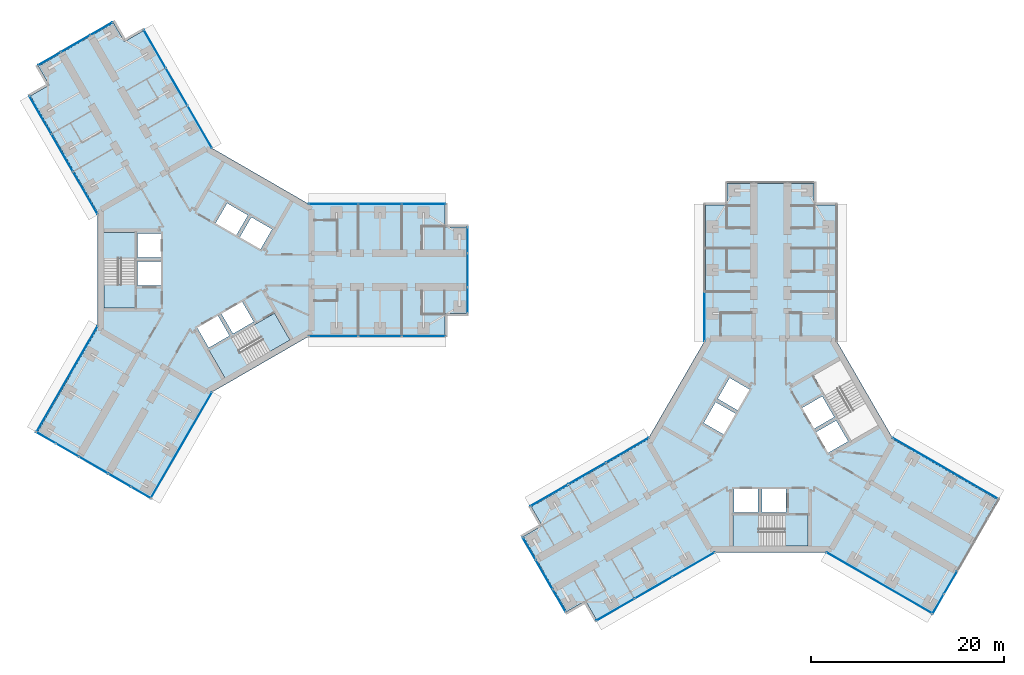
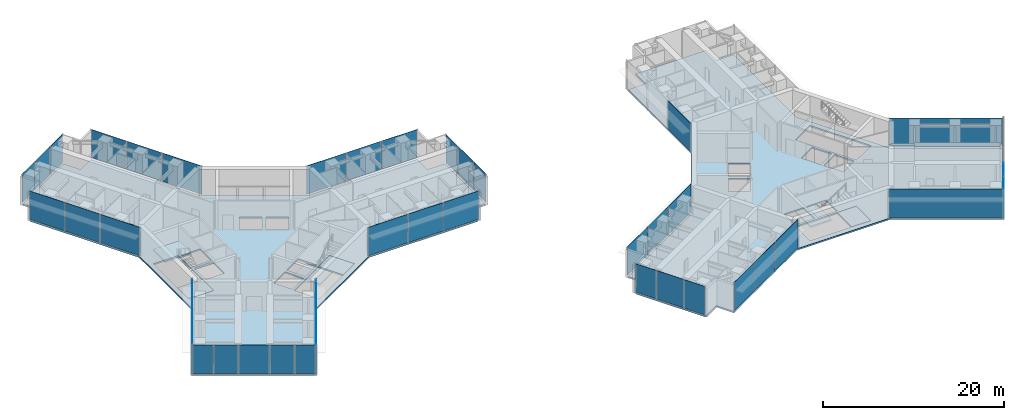
# One storey, part 13 of 23: 39 plates, 8 slabs, 19 elements without a shape of their own.
"""IFC4 building model written with IfcOpenShell, lengths in metres."""

import ifcopenshell
import ifcopenshell.guid

model = None  # the IFC model being written
_history = None  # IfcOwnerHistory: only IFC2X3 demands one
_inside = {}  # id of a spatial element -> (the spatial element, [elements in it])
_under = {}  # id of a project, library or spatial element -> (it, [spatial elements below it])
_declared = {}  # id of a project -> (the project, [libraries it declares])
_typed = {}  # id of a type object -> (the type object, [elements of that type])
_made_of = {}  # id of a material, layer set ... -> (it, [elements and type objects made of it])


def new_model(schema):
    """Start an empty IFC model of exactly this schema.

    Asked for "IFC4X3", IfcOpenShell would pick the latest addendum, in which some entities
    have other attributes; the version numbers below select the first issue.
    IFC2X3 requires an IfcOwnerHistory on every rooted entity: one is made here for all.
    """
    global model, _history
    if schema == "IFC4X3":
        model = ifcopenshell.file(schema_version=(4, 3, 0, 0))
    else:
        model = ifcopenshell.file(schema=schema)
    _inside.clear()
    _under.clear()
    _declared.clear()
    _typed.clear()
    _made_of.clear()
    _history = None
    if model.schema == "IFC2X3":
        org = make("IfcOrganization", Name="unknown")
        user = make(
            "IfcPersonAndOrganization",
            ThePerson=make("IfcPerson", FamilyName="unknown"),
            TheOrganization=org,
        )
        app = make(
            "IfcApplication",
            ApplicationDeveloper=org,
            Version="unknown",
            ApplicationFullName="unknown",
            ApplicationIdentifier="unknown",
        )
        _history = make(
            "IfcOwnerHistory",
            OwningUser=user,
            OwningApplication=app,
            ChangeAction="ADDED",
            CreationDate=0,
        )
    return model


def make(cls, **values):
    """One entity of the class cls with the attributes given. An attribute that is None is left unset."""
    return model.create_entity(
        cls, **{name: value for name, value in values.items() if value is not None}
    )


def rooted(cls, **values):
    """An entity with a GlobalId (a new one), such as an element, a storey or a relation."""
    return make(cls, GlobalId=ifcopenshell.guid.new(), OwnerHistory=_history, **values)


def si_unit(unit_type, name, prefix=None):
    """IfcSIUnit, for example si_unit("LENGTHUNIT", "METRE", prefix="MILLI")."""
    return make("IfcSIUnit", UnitType=unit_type, Prefix=prefix, Name=name)


def assignment(units):
    """IfcUnitAssignment: the units of a project."""
    return None if units is None else make("IfcUnitAssignment", Units=units)


def point(xyz):
    """IfcCartesianPoint."""
    return None if xyz is None else make("IfcCartesianPoint", Coordinates=xyz)


def direction(xyz):
    """IfcDirection."""
    return None if xyz is None else make("IfcDirection", DirectionRatios=xyz)


def frame(location, z_axis=None, x_axis=None):
    """IfcAxis2Placement3D, a coordinate frame: its origin and axes. An axis left out is left unset."""
    return make(
        "IfcAxis2Placement3D",
        Location=point(location),
        Axis=direction(z_axis),
        RefDirection=direction(x_axis),
    )


def frame_2d(location, x_axis=None):
    """IfcAxis2Placement2D, a coordinate frame in the plane: its origin and x axis."""
    return make(
        "IfcAxis2Placement2D", Location=point(location), RefDirection=direction(x_axis)
    )


def origin():
    """The frame at (0, 0, 0) with its axes left unset."""
    return frame((0.0, 0.0, 0.0))


def origin_2d():
    """The frame at (0, 0) in the plane with its x axis left unset."""
    return frame_2d((0.0, 0.0))


def place(relative_to, where):
    """IfcLocalPlacement: puts the frame where relative to a parent placement (None: the world)."""
    return make(
        "IfcLocalPlacement", PlacementRelTo=relative_to, RelativePlacement=where
    )


def context(
    kind, dimensions, precision=None, world=None, true_north=None, identifier=None
):
    """IfcGeometricRepresentationContext, for example the 3D "Model" context."""
    return make(
        "IfcGeometricRepresentationContext",
        ContextIdentifier=identifier,
        ContextType=kind,
        CoordinateSpaceDimension=dimensions,
        Precision=precision,
        WorldCoordinateSystem=world,
        TrueNorth=true_north,
    )


def subcontext(parent, identifier, kind, view, scale=None):
    """IfcGeometricRepresentationSubContext, for example "Body" below "Model"."""
    return make(
        "IfcGeometricRepresentationSubContext",
        ContextIdentifier=identifier,
        ContextType=kind,
        ParentContext=parent,
        TargetScale=scale,
        TargetView=view,
    )


def project(units=None, contexts=None):
    """IfcProject with its units and contexts."""
    return rooted(
        "IfcProject",
        Name="project",
        RepresentationContexts=contexts,
        UnitsInContext=assignment(units),
    )


def spatial(cls, under=None, at=None, **own):
    """A site, building, storey or space (cls), placed at a placement, below another one or the project."""
    s = rooted(cls, ObjectPlacement=at, **own)
    if under is not None:
        _under.setdefault(under.id(), (under, []))[1].append(s)
    return s


def polyline(points):
    """IfcPolyline through the points."""
    return make("IfcPolyline", Points=[point(p) for p in points])


def profile(cls, at=None, kind="AREA", **sizes):
    """A parametric profile (cls). Its sizes go by their IFC names, for example OverallWidth=200.0."""
    return make(cls, ProfileType=kind, Position=at, **sizes)


def rectangle(**sizes):
    """IfcRectangleProfileDef."""
    return profile("IfcRectangleProfileDef", **sizes)


def outline(outer, holes=None, kind="AREA"):
    """IfcArbitraryClosedProfileDef: a profile drawn as a closed curve; with holes, ...WithVoids."""
    if holes is None:
        return make("IfcArbitraryClosedProfileDef", ProfileType=kind, OuterCurve=outer)
    return make(
        "IfcArbitraryProfileDefWithVoids",
        ProfileType=kind,
        OuterCurve=outer,
        InnerCurves=holes,
    )


def extrude(swept, where, along, depth):
    """IfcExtrudedAreaSolid: the profile swept, set in the frame where, extruded along a direction by depth."""
    return make(
        "IfcExtrudedAreaSolid",
        SweptArea=swept,
        Position=where,
        ExtrudedDirection=direction(along),
        Depth=depth,
    )


def shape(context_of_items, identifier, shape_type, items):
    """IfcShapeRepresentation: the items that make up one representation, for example the "Body"."""
    return make(
        "IfcShapeRepresentation",
        ContextOfItems=context_of_items,
        RepresentationIdentifier=identifier,
        RepresentationType=shape_type,
        Items=items,
    )


def material(Name=None, Category=None):
    """IfcMaterial."""
    return make("IfcMaterial", Name=Name, Category=Category)


def layer(
    of_material, thickness, ventilated=None, Name=None, Category=None, Priority=None
):
    """IfcMaterialLayer: one layer of a wall or slab, of a material (None: an air gap)."""
    return make(
        "IfcMaterialLayer",
        Material=of_material,
        LayerThickness=thickness,
        IsVentilated=ventilated,
        Name=Name,
        Category=Category,
        Priority=Priority,
    )


def layer_set(layers, Name=None):
    """IfcMaterialLayerSet."""
    return make("IfcMaterialLayerSet", MaterialLayers=layers, LayerSetName=Name)


def made_of(thing, what):
    """Note that an element or type object is made of a material, layer set ...; save() writes the relation."""
    if what is not None:
        _made_of.setdefault(what.id(), (what, []))[1].append(thing)
    return thing


def type_object(cls, material=None, **own):
    """A type object (cls), such as IfcWallType, which elements share."""
    return made_of(rooted(cls, **own), material)


def element(
    cls,
    number,
    at=None,
    inside=None,
    cuts=None,
    type_object=None,
    material=None,
    context=None,
    identifier="Body",
    shape_type=None,
    held_by="IfcProductDefinitionShape",
    body=None,
    shapes=None,
    **own,
):
    """One element of the class cls, such as IfcWall. Its Tag is "e" and its number.

    at: its placement. inside: the storey or other place that contains it. cuts: it is an
    opening in that element (IfcRelVoidsElement). A single representation is given by context,
    identifier, shape_type and body (its items); several are given by shapes. held_by: the class
    of the entity that holds the representations. save() writes the other relations.
    """
    e = rooted(cls, Tag="e%d" % number, ObjectPlacement=at, **own)
    if body is not None:
        shapes = [shape(context, identifier, shape_type, body)]
    if shapes is not None:
        e.Representation = make(held_by, Representations=shapes)
    if inside is not None:
        _inside.setdefault(inside.id(), (inside, []))[1].append(e)
    if cuts is not None:
        rooted(
            "IfcRelVoidsElement", RelatingBuildingElement=cuts, RelatedOpeningElement=e
        )
    if type_object is not None:
        _typed.setdefault(type_object.id(), (type_object, []))[1].append(e)
    return made_of(e, material)


def aggregate(whole, parts):
    """IfcRelAggregates: a whole, such as a stair, and the parts it consists of."""
    return rooted("IfcRelAggregates", RelatingObject=whole, RelatedObjects=parts)


def save(model, path):
    """Write the relations noted so far, then the file.

    IfcRelAggregates (storeys below a building ...), IfcRelContainedInSpatialStructure (elements
    in a storey), IfcRelDefinesByType, IfcRelAssociatesMaterial and IfcRelDeclares: one each for
    every whole, place, type object, material and project.
    """
    for whole, parts in _under.values():
        aggregate(whole, parts)
    for where, things in _inside.values():
        rooted(
            "IfcRelContainedInSpatialStructure",
            RelatedElements=things,
            RelatingStructure=where,
        )
    for kind, things in _typed.values():
        rooted("IfcRelDefinesByType", RelatedObjects=things, RelatingType=kind)
    for what, things in _made_of.values():
        rooted("IfcRelAssociatesMaterial", RelatedObjects=things, RelatingMaterial=what)
    for by, libraries in _declared.values():
        rooted("IfcRelDeclares", RelatingContext=by, RelatedDefinitions=libraries)
    model.write(path)


model = new_model("IFC4")

# Units and contexts
model_context = context("Model", 3, precision=1e-05, world=origin(), true_north=direction((0.0, 1.0)))
body_context = subcontext(model_context, "Body", "Model", "MODEL_VIEW")
ifc_project = project(units=[si_unit("LENGTHUNIT", "METRE"), si_unit("AREAUNIT", "SQUARE_METRE"), si_unit("VOLUMEUNIT", "CUBIC_METRE"), si_unit("PLANEANGLEUNIT", "RADIAN"), si_unit("MASSUNIT", "GRAM", prefix="KILO")], contexts=[model_context])

# Site, building, storey
site_placement = place(None, origin())
site = spatial("IfcSite", under=ifc_project, at=site_placement, CompositionType="ELEMENT")
building_placement = place(site_placement, origin())
building = spatial("IfcBuilding", under=site, at=building_placement, Name="Upepo Twin Towers", CompositionType="ELEMENT")
storey_placement = place(building_placement, frame((0.0, 0.0, 145.5)))
storey = spatial("IfcBuildingStorey", under=building, at=storey_placement, Name="L35", CompositionType="ELEMENT", Elevation=145.5)

# Curtain wall, plates
ifc_material_1 = material(Name="Aluminium and fritted glass", Category="aluminium")
curtain_wall_type = type_object("IfcCurtainWallType", Name="Tower curtain wall TW2, fritted glass", PredefinedType="NOTDEFINED", material=ifc_material_1)
curtain_wall_1_placement = place(storey_placement, origin())
curtain_wall_1 = element("IfcCurtainWall", 1, at=curtain_wall_1_placement, inside=storey, type_object=curtain_wall_type, Name="T1 L35 wing A flank L curtain wall", PredefinedType="NOTDEFINED")
ifc_material_2 = material(Name="Ceramic-fritted laminated glass", Category="glass")
ifc_layer_1 = layer(ifc_material_2, 0.031982421875)
ifc_layer_set_1 = layer_set([ifc_layer_1], Name="Fritted glass panel, 45 per cent dot frit, 32 mm double glazed")
plate_type_1 = type_object("IfcPlateType", Name="Fritted glass panel, 45 per cent dot frit, 32 mm double glazed", PredefinedType="CURTAIN_PANEL", material=ifc_layer_set_1)
plate_1_placement = place(storey_placement, frame((13.184814453125, 6.85009765625, 0.14990234375), z_axis=(0.0, 0.0, 1.0), x_axis=(1.0, 0.0, 0.0)))
plate_1 = element("IfcPlate", 2, at=plate_1_placement, type_object=plate_type_1, Name="T1 L35 wing A flank L curtain wall panel 1", PredefinedType="CURTAIN_PANEL", context=body_context, shape_type="SweptSolid", body=[
    extrude(rectangle(XDim=5.0654296875, YDim=0.031982421875, at=origin_2d()), origin(), (0.0, 0.0, 1.0), 3.85009765625),
])
plate_2_placement = place(storey_placement, frame((18.0, 6.85009765625, 0.14990234375), z_axis=(0.0, 0.0, 1.0), x_axis=(1.0, 0.0, 0.0)))
plate_2 = element("IfcPlate", 3, at=plate_2_placement, type_object=plate_type_1, Name="T1 L35 wing A flank L curtain wall panel 2", PredefinedType="CURTAIN_PANEL", context=body_context, shape_type="SweptSolid", body=[
    extrude(rectangle(XDim=4.43505859375, YDim=0.031982421875, at=origin_2d()), origin(), (0.0, 0.0, 1.0), 3.85009765625),
])
plate_3_placement = place(storey_placement, frame((22.53369140625, 6.85009765625, 0.14990234375), z_axis=(0.0, 0.0, 1.0), x_axis=(1.0, 0.0, 0.0)))
plate_3 = element("IfcPlate", 4, at=plate_3_placement, type_object=plate_type_1, Name="T1 L35 wing A flank L curtain wall panel 3", PredefinedType="CURTAIN_PANEL", context=body_context, shape_type="SweptSolid", body=[
    extrude(rectangle(XDim=4.50244140625, YDim=0.031982421875, at=origin_2d()), origin(), (0.0, 0.0, 1.0), 3.85009765625),
])
aggregate(curtain_wall_1, [plate_1, plate_2, plate_3])

curtain_wall_2_placement = place(storey_placement, origin())
curtain_wall_2 = element("IfcCurtainWall", 5, at=curtain_wall_2_placement, inside=storey, type_object=curtain_wall_type, Name="T1 L35 wing A flank R curtain wall", PredefinedType="NOTDEFINED")
plate_4_placement = place(storey_placement, frame((22.53369140625, -6.85009765625, 0.14990234375), z_axis=(0.0, 0.0, 1.0), x_axis=(-1.0, 0.0, 0.0)))
plate_4 = element("IfcPlate", 6, at=plate_4_placement, type_object=plate_type_1, Name="T1 L35 wing A flank R curtain wall panel 1", PredefinedType="CURTAIN_PANEL", context=body_context, shape_type="SweptSolid", body=[
    extrude(rectangle(XDim=4.50244140625, YDim=0.031982421875, at=origin_2d()), origin(), (0.0, 0.0, 1.0), 3.85009765625),
])
plate_5_placement = place(storey_placement, frame((18.0, -6.85009765625, 0.14990234375), z_axis=(0.0, 0.0, 1.0), x_axis=(-1.0, 0.0, 0.0)))
plate_5 = element("IfcPlate", 7, at=plate_5_placement, type_object=plate_type_1, Name="T1 L35 wing A flank R curtain wall panel 2", PredefinedType="CURTAIN_PANEL", context=body_context, shape_type="SweptSolid", body=[
    extrude(rectangle(XDim=4.43505859375, YDim=0.031982421875, at=origin_2d()), origin(), (0.0, 0.0, 1.0), 3.85009765625),
])
plate_6_placement = place(storey_placement, frame((13.184814453125, -6.85009765625, 0.14990234375), z_axis=(0.0, 0.0, 1.0), x_axis=(-1.0, 0.0, 0.0)))
plate_6 = element("IfcPlate", 8, at=plate_6_placement, type_object=plate_type_1, Name="T1 L35 wing A flank R curtain wall panel 3", PredefinedType="CURTAIN_PANEL", context=body_context, shape_type="SweptSolid", body=[
    extrude(rectangle(XDim=5.0654296875, YDim=0.031982421875, at=origin_2d()), origin(), (0.0, 0.0, 1.0), 3.85009765625),
])
aggregate(curtain_wall_2, [plate_4, plate_5, plate_6])

# Curtain wall, plate
curtain_wall_3_placement = place(storey_placement, origin())
curtain_wall_3 = element("IfcCurtainWall", 9, at=curtain_wall_3_placement, inside=storey, type_object=curtain_wall_type, Name="T1 L35 wing A nose curtain wall", PredefinedType="NOTDEFINED")
plate_7_placement = place(storey_placement, frame((27.10009765625, 0.0, 0.14990234375), z_axis=(0.0, 0.0, 1.0), x_axis=(0.0, 1.0, 0.0)))
plate_7 = element("IfcPlate", 10, at=plate_7_placement, type_object=plate_type_1, Name="T1 L35 wing A nose curtain wall panel 2", PredefinedType="CURTAIN_PANEL", context=body_context, shape_type="SweptSolid", body=[
    extrude(rectangle(XDim=3.43505859375, YDim=0.031982421875, at=origin_2d()), origin(), (0.0, 0.0, 1.0), 3.85009765625),
])

# Curtain wall, plates
curtain_wall_4_placement = place(storey_placement, origin())
curtain_wall_4 = element("IfcCurtainWall", 11, at=curtain_wall_4_placement, inside=storey, type_object=curtain_wall_type, Name="T1 L35 wing B flank L curtain wall", PredefinedType="NOTDEFINED")
plate_8_placement = place(storey_placement, frame((-12.524658203125, 7.993408203125, 0.14990234375), z_axis=(0.0, 0.0, 1.0), x_axis=(-0.500000010308, 0.866025397833, 0.0)))
plate_8 = element("IfcPlate", 12, at=plate_8_placement, type_object=plate_type_1, Name="T1 L35 wing B flank L curtain wall panel 1", PredefinedType="CURTAIN_PANEL", context=body_context, shape_type="SweptSolid", body=[
    extrude(rectangle(XDim=5.0654296875, YDim=0.031982421875, at=origin_2d()), origin(), (0.0, 0.0, 1.0), 3.85009765625),
])
plate_9_placement = place(storey_placement, frame((-14.932373046875, 12.16357421875, 0.14990234375), z_axis=(0.0, 0.0, 1.0), x_axis=(-0.500000010308, 0.866025397833, 0.0)))
plate_9 = element("IfcPlate", 13, at=plate_9_placement, type_object=plate_type_1, Name="T1 L35 wing B flank L curtain wall panel 2", PredefinedType="CURTAIN_PANEL", context=body_context, shape_type="SweptSolid", body=[
    extrude(rectangle(XDim=4.43505859375, YDim=0.031982421875, at=origin_2d()), origin(), (0.0, 0.0, 1.0), 3.85009765625),
])
plate_10_placement = place(storey_placement, frame((-17.19921875, 16.08984375, 0.14990234375), z_axis=(0.0, 0.0, 1.0), x_axis=(-0.500000010308, 0.866025397833, 0.0)))
plate_10 = element("IfcPlate", 14, at=plate_10_placement, type_object=plate_type_1, Name="T1 L35 wing B flank L curtain wall panel 3", PredefinedType="CURTAIN_PANEL", context=body_context, shape_type="SweptSolid", body=[
    extrude(rectangle(XDim=4.50244140625, YDim=0.031982421875, at=origin_2d()), origin(), (0.0, 0.0, 1.0), 3.85009765625),
])
aggregate(curtain_wall_4, [plate_8, plate_9, plate_10])

curtain_wall_5_placement = place(storey_placement, origin())
curtain_wall_5 = element("IfcCurtainWall", 15, at=curtain_wall_5_placement, inside=storey, type_object=curtain_wall_type, Name="T1 L35 wing B flank R curtain wall", PredefinedType="NOTDEFINED")
plate_11_placement = place(storey_placement, frame((-5.334716796875, 22.939697265625, 0.14990234375), z_axis=(0.0, 0.0, 1.0), x_axis=(0.500000010308, -0.866025397833, 0.0)))
plate_11 = element("IfcPlate", 16, at=plate_11_placement, type_object=plate_type_1, Name="T1 L35 wing B flank R curtain wall panel 1", PredefinedType="CURTAIN_PANEL", context=body_context, shape_type="SweptSolid", body=[
    extrude(rectangle(XDim=4.50244140625, YDim=0.031982421875, at=origin_2d()), origin(), (0.0, 0.0, 1.0), 3.85009765625),
])
plate_12_placement = place(storey_placement, frame((-3.067626953125, 19.013427734375, 0.14990234375), z_axis=(0.0, 0.0, 1.0), x_axis=(0.500000010308, -0.866025397833, 0.0)))
plate_12 = element("IfcPlate", 17, at=plate_12_placement, type_object=plate_type_1, Name="T1 L35 wing B flank R curtain wall panel 2", PredefinedType="CURTAIN_PANEL", context=body_context, shape_type="SweptSolid", body=[
    extrude(rectangle(XDim=4.43505859375, YDim=0.031982421875, at=origin_2d()), origin(), (0.0, 0.0, 1.0), 3.85009765625),
])
plate_13_placement = place(storey_placement, frame((-0.66015625, 14.84326171875, 0.14990234375), z_axis=(0.0, 0.0, 1.0), x_axis=(0.500000010308, -0.866025397833, 0.0)))
plate_13 = element("IfcPlate", 18, at=plate_13_placement, type_object=plate_type_1, Name="T1 L35 wing B flank R curtain wall panel 3", PredefinedType="CURTAIN_PANEL", context=body_context, shape_type="SweptSolid", body=[
    extrude(rectangle(XDim=5.0654296875, YDim=0.031982421875, at=origin_2d()), origin(), (0.0, 0.0, 1.0), 3.85009765625),
])
aggregate(curtain_wall_5, [plate_11, plate_12, plate_13])

# Curtain wall, plate
curtain_wall_6_placement = place(storey_placement, origin())
curtain_wall_6 = element("IfcCurtainWall", 19, at=curtain_wall_6_placement, inside=storey, type_object=curtain_wall_type, Name="T1 L35 wing B nose curtain wall", PredefinedType="NOTDEFINED")
plate_14_placement = place(storey_placement, frame((-13.550048828125, 23.46923828125, 0.14990234375), z_axis=(0.0, 0.0, 1.0), x_axis=(-0.866025386174, -0.500000030502, 0.0)))
plate_14 = element("IfcPlate", 20, at=plate_14_placement, type_object=plate_type_1, Name="T1 L35 wing B nose curtain wall panel 2", PredefinedType="CURTAIN_PANEL", context=body_context, shape_type="SweptSolid", body=[
    extrude(rectangle(XDim=3.43505859375, YDim=0.031982421875, at=origin_2d()), origin(), (0.0, 0.0, 1.0), 3.85009765625),
])

curtain_wall_7_placement = place(storey_placement, origin())
curtain_wall_7 = element("IfcCurtainWall", 21, at=curtain_wall_7_placement, inside=storey, type_object=curtain_wall_type, Name="T1 L35 wing C flank L curtain wall", PredefinedType="NOTDEFINED")
plate_15_placement = place(storey_placement, frame((-2.552001953125, -18.1201171875, 0.14990234375), z_axis=(0.0, 0.0, 1.0), x_axis=(-0.50000000792, -0.866025399212, 0.0)))
plate_15 = element("IfcPlate", 22, at=plate_15_placement, type_object=plate_type_1, Name="T1 L35 wing C flank L curtain wall panel 1", PredefinedType="CURTAIN_PANEL", context=body_context, shape_type="SweptSolid", body=[
    extrude(rectangle(XDim=12.6328125, YDim=0.031982421875, at=origin_2d()), origin(), (0.0, 0.0, 1.0), 3.85009765625),
])
aggregate(curtain_wall_7, [plate_15])

curtain_wall_8_placement = place(storey_placement, origin())
curtain_wall_8 = element("IfcCurtainWall", 23, at=curtain_wall_8_placement, inside=storey, type_object=curtain_wall_type, Name="T1 L35 wing C flank R curtain wall", PredefinedType="NOTDEFINED")
plate_16_placement = place(storey_placement, frame((-14.41650390625, -11.270263671875, 0.14990234375), z_axis=(0.0, 0.0, 1.0), x_axis=(0.50000000792, 0.866025399212, 0.0)))
plate_16 = element("IfcPlate", 24, at=plate_16_placement, type_object=plate_type_1, Name="T1 L35 wing C flank R curtain wall panel 1", PredefinedType="CURTAIN_PANEL", context=body_context, shape_type="SweptSolid", body=[
    extrude(rectangle(XDim=12.6328125, YDim=0.031982421875, at=origin_2d()), origin(), (0.0, 0.0, 1.0), 3.85009765625),
])
aggregate(curtain_wall_8, [plate_16])

# Curtain wall, plates
curtain_wall_9_placement = place(storey_placement, origin())
curtain_wall_9 = element("IfcCurtainWall", 25, at=curtain_wall_9_placement, inside=storey, type_object=curtain_wall_type, Name="T1 L35 wing C nose curtain wall", PredefinedType="NOTDEFINED")
plate_17_placement = place(storey_placement, frame((-14.38134765625, -18.6591796875, 0.14990234375), z_axis=(0.0, 0.0, 1.0), x_axis=(0.866025419745, -0.499999972355, 0.0)))
plate_17 = element("IfcPlate", 26, at=plate_17_placement, type_object=plate_type_1, Name="T1 L35 wing C nose curtain wall panel 2", PredefinedType="CURTAIN_PANEL", context=body_context, shape_type="SweptSolid", body=[
    extrude(rectangle(XDim=2.68505859375, YDim=0.031982421875, at=origin_2d()), origin(), (0.0, 0.0, 1.0), 3.85009765625),
])
plate_18_placement = place(storey_placement, frame((-11.675048828125, -20.2216796875, 0.14990234375), z_axis=(0.0, 0.0, 1.0), x_axis=(0.866025419745, -0.499999972355, 0.0)))
plate_18 = element("IfcPlate", 27, at=plate_18_placement, type_object=plate_type_1, Name="T1 L35 wing C nose curtain wall panel 3", PredefinedType="CURTAIN_PANEL", context=body_context, shape_type="SweptSolid", body=[
    extrude(rectangle(XDim=3.43505859375, YDim=0.031982421875, at=origin_2d()), origin(), (0.0, 0.0, 1.0), 3.85009765625),
])
plate_19_placement = place(storey_placement, frame((-8.96875, -21.7841796875, 0.14990234375), z_axis=(0.0, 0.0, 1.0), x_axis=(0.866025419745, -0.499999972355, 0.0)))
plate_19 = element("IfcPlate", 28, at=plate_19_placement, type_object=plate_type_1, Name="T1 L35 wing C nose curtain wall panel 4", PredefinedType="CURTAIN_PANEL", context=body_context, shape_type="SweptSolid", body=[
    extrude(rectangle(XDim=2.68505859375, YDim=0.031982421875, at=origin_2d()), origin(), (0.0, 0.0, 1.0), 3.85009765625),
])

# Curtain wall, plate
curtain_wall_10_placement = place(storey_placement, origin())
curtain_wall_10 = element("IfcCurtainWall", 29, at=curtain_wall_10_placement, inside=storey, type_object=curtain_wall_type, Name="T2 L35 wing A flank L curtain wall", PredefinedType="NOTDEFINED")
plate_20_placement = place(storey_placement, frame((51.64990234375, -4.815185546875, 0.14990234375), z_axis=(0.0, 0.0, 1.0), x_axis=(0.0, 1.0, 0.0)))
plate_20 = element("IfcPlate", 30, at=plate_20_placement, type_object=plate_type_1, Name="T2 L35 wing A flank L curtain wall panel 1", PredefinedType="CURTAIN_PANEL", context=body_context, shape_type="SweptSolid", body=[
    extrude(rectangle(XDim=5.0654296875, YDim=0.031982421875, at=origin_2d()), origin(), (0.0, 0.0, 1.0), 3.85009765625),
])
aggregate(curtain_wall_10, [plate_20])

# Curtain wall, plates
curtain_wall_11_placement = place(storey_placement, origin())
curtain_wall_11 = element("IfcCurtainWall", 31, at=curtain_wall_11_placement, inside=storey, type_object=curtain_wall_type, Name="T2 L35 wing B flank L curtain wall", PredefinedType="NOTDEFINED")
plate_21_placement = place(storey_placement, frame((50.506591796875, -30.524658203125, 0.14990234375), z_axis=(0.0, 0.0, 1.0), x_axis=(-0.866025397833, -0.500000010308, 0.0)))
plate_21 = element("IfcPlate", 32, at=plate_21_placement, type_object=plate_type_1, Name="T2 L35 wing B flank L curtain wall panel 1", PredefinedType="CURTAIN_PANEL", context=body_context, shape_type="SweptSolid", body=[
    extrude(rectangle(XDim=5.0654296875, YDim=0.031982421875, at=origin_2d()), origin(), (0.0, 0.0, 1.0), 3.85009765625),
])
plate_22_placement = place(storey_placement, frame((46.33642578125, -32.932373046875, 0.14990234375), z_axis=(0.0, 0.0, 1.0), x_axis=(-0.866025397833, -0.500000010308, 0.0)))
plate_22 = element("IfcPlate", 33, at=plate_22_placement, type_object=plate_type_1, Name="T2 L35 wing B flank L curtain wall panel 2", PredefinedType="CURTAIN_PANEL", context=body_context, shape_type="SweptSolid", body=[
    extrude(rectangle(XDim=4.43505859375, YDim=0.031982421875, at=origin_2d()), origin(), (0.0, 0.0, 1.0), 3.85009765625),
])
plate_23_placement = place(storey_placement, frame((42.41015625, -35.19921875, 0.14990234375), z_axis=(0.0, 0.0, 1.0), x_axis=(-0.866025397833, -0.500000010308, 0.0)))
plate_23 = element("IfcPlate", 34, at=plate_23_placement, type_object=plate_type_1, Name="T2 L35 wing B flank L curtain wall panel 3", PredefinedType="CURTAIN_PANEL", context=body_context, shape_type="SweptSolid", body=[
    extrude(rectangle(XDim=4.50244140625, YDim=0.031982421875, at=origin_2d()), origin(), (0.0, 0.0, 1.0), 3.85009765625),
])
aggregate(curtain_wall_11, [plate_21, plate_22, plate_23])

curtain_wall_12_placement = place(storey_placement, origin())
curtain_wall_12 = element("IfcCurtainWall", 35, at=curtain_wall_12_placement, inside=storey, type_object=curtain_wall_type, Name="T2 L35 wing B flank R curtain wall", PredefinedType="NOTDEFINED")
plate_24_placement = place(storey_placement, frame((35.560302734375, -23.334716796875, 0.14990234375), z_axis=(0.0, 0.0, 1.0), x_axis=(0.866025397833, 0.500000010308, 0.0)))
plate_24 = element("IfcPlate", 36, at=plate_24_placement, type_object=plate_type_1, Name="T2 L35 wing B flank R curtain wall panel 1", PredefinedType="CURTAIN_PANEL", context=body_context, shape_type="SweptSolid", body=[
    extrude(rectangle(XDim=4.50244140625, YDim=0.031982421875, at=origin_2d()), origin(), (0.0, 0.0, 1.0), 3.85009765625),
])
plate_25_placement = place(storey_placement, frame((39.486572265625, -21.067626953125, 0.14990234375), z_axis=(0.0, 0.0, 1.0), x_axis=(0.866025397833, 0.500000010308, 0.0)))
plate_25 = element("IfcPlate", 37, at=plate_25_placement, type_object=plate_type_1, Name="T2 L35 wing B flank R curtain wall panel 2", PredefinedType="CURTAIN_PANEL", context=body_context, shape_type="SweptSolid", body=[
    extrude(rectangle(XDim=4.43505859375, YDim=0.031982421875, at=origin_2d()), origin(), (0.0, 0.0, 1.0), 3.85009765625),
])
plate_26_placement = place(storey_placement, frame((43.65673828125, -18.66015625, 0.14990234375), z_axis=(0.0, 0.0, 1.0), x_axis=(0.866025397833, 0.500000010308, 0.0)))
plate_26 = element("IfcPlate", 38, at=plate_26_placement, type_object=plate_type_1, Name="T2 L35 wing B flank R curtain wall panel 3", PredefinedType="CURTAIN_PANEL", context=body_context, shape_type="SweptSolid", body=[
    extrude(rectangle(XDim=5.0654296875, YDim=0.031982421875, at=origin_2d()), origin(), (0.0, 0.0, 1.0), 3.85009765625),
])
aggregate(curtain_wall_12, [plate_24, plate_25, plate_26])

# Curtain wall, plate
curtain_wall_13_placement = place(storey_placement, origin())
curtain_wall_13 = element("IfcCurtainWall", 39, at=curtain_wall_13_placement, inside=storey, type_object=curtain_wall_type, Name="T2 L35 wing B nose curtain wall", PredefinedType="NOTDEFINED")
plate_27_placement = place(storey_placement, frame((35.03076171875, -31.550048828125, 0.14990234375), z_axis=(0.0, 0.0, 1.0), x_axis=(0.500000030502, -0.866025386174, 0.0)))
plate_27 = element("IfcPlate", 40, at=plate_27_placement, type_object=plate_type_1, Name="T2 L35 wing B nose curtain wall panel 2", PredefinedType="CURTAIN_PANEL", context=body_context, shape_type="SweptSolid", body=[
    extrude(rectangle(XDim=3.43505859375, YDim=0.031982421875, at=origin_2d()), origin(), (0.0, 0.0, 1.0), 3.85009765625),
])

curtain_wall_14_placement = place(storey_placement, origin())
curtain_wall_14 = element("IfcCurtainWall", 41, at=curtain_wall_14_placement, inside=storey, type_object=curtain_wall_type, Name="T2 L35 wing C flank L curtain wall", PredefinedType="NOTDEFINED")
plate_28_placement = place(storey_placement, frame((76.6201171875, -20.552001953125, 0.14990234375), z_axis=(0.0, 0.0, 1.0), x_axis=(0.866025399212, -0.50000000792, 0.0)))
plate_28 = element("IfcPlate", 42, at=plate_28_placement, type_object=plate_type_1, Name="T2 L35 wing C flank L curtain wall panel 1", PredefinedType="CURTAIN_PANEL", context=body_context, shape_type="SweptSolid", body=[
    extrude(rectangle(XDim=12.6328125, YDim=0.031982421875, at=origin_2d()), origin(), (0.0, 0.0, 1.0), 3.85009765625),
])
aggregate(curtain_wall_14, [plate_28])

curtain_wall_15_placement = place(storey_placement, origin())
curtain_wall_15 = element("IfcCurtainWall", 43, at=curtain_wall_15_placement, inside=storey, type_object=curtain_wall_type, Name="T2 L35 wing C flank R curtain wall", PredefinedType="NOTDEFINED")
plate_29_placement = place(storey_placement, frame((69.770263671875, -32.41650390625, 0.14990234375), z_axis=(0.0, 0.0, 1.0), x_axis=(-0.866025399212, 0.50000000792, 0.0)))
plate_29 = element("IfcPlate", 44, at=plate_29_placement, type_object=plate_type_1, Name="T2 L35 wing C flank R curtain wall panel 1", PredefinedType="CURTAIN_PANEL", context=body_context, shape_type="SweptSolid", body=[
    extrude(rectangle(XDim=12.6328125, YDim=0.031982421875, at=origin_2d()), origin(), (0.0, 0.0, 1.0), 3.85009765625),
])
aggregate(curtain_wall_15, [plate_29])

curtain_wall_16_placement = place(storey_placement, origin())
curtain_wall_16 = element("IfcCurtainWall", 45, at=curtain_wall_16_placement, inside=storey, type_object=curtain_wall_type, Name="T2 L35 wing C nose curtain wall", PredefinedType="NOTDEFINED")
plate_30_placement = place(storey_placement, frame((77.1591796875, -32.38134765625, 0.14990234375), z_axis=(0.0, 0.0, 1.0), x_axis=(0.499999972355, 0.866025419745, 0.0)))
plate_30 = element("IfcPlate", 46, at=plate_30_placement, type_object=plate_type_1, Name="T2 L35 wing C nose curtain wall panel 2", PredefinedType="CURTAIN_PANEL", context=body_context, shape_type="SweptSolid", body=[
    extrude(rectangle(XDim=2.68505859375, YDim=0.031982421875, at=origin_2d()), origin(), (0.0, 0.0, 1.0), 3.85009765625),
])

# Plate
ifc_material_3 = material(Name="Clear laminated glass in opening sash", Category="glass")
ifc_layer_2 = layer(ifc_material_3, 0.031982421875)
ifc_layer_set_2 = layer_set([ifc_layer_2], Name="Operable glass panel, 32 mm double glazed")
plate_type_2 = type_object("IfcPlateType", Name="Operable glass panel, 32 mm double glazed", PredefinedType="CURTAIN_PANEL", material=ifc_layer_set_2)
plate_31_placement = place(storey_placement, frame((27.10009765625, -3.108642578125, 0.14990234375), z_axis=(0.0, 0.0, 1.0), x_axis=(0.0, 1.0, 0.0)))
plate_31 = element("IfcPlate", 47, at=plate_31_placement, type_object=plate_type_2, Name="T1 L35 wing A nose curtain wall panel 1", PredefinedType="CURTAIN_PANEL", context=body_context, shape_type="SweptSolid", body=[
    extrude(rectangle(XDim=2.652587890625, YDim=0.031982421875, at=origin_2d()), origin(), (0.0, 0.0, 1.0), 3.85009765625),
])

plate_32_placement = place(storey_placement, frame((27.10009765625, 3.108642578125, 0.14990234375), z_axis=(0.0, 0.0, 1.0), x_axis=(0.0, 1.0, 0.0)))
plate_32 = element("IfcPlate", 48, at=plate_32_placement, type_object=plate_type_2, Name="T1 L35 wing A nose curtain wall panel 3", PredefinedType="CURTAIN_PANEL", context=body_context, shape_type="SweptSolid", body=[
    extrude(rectangle(XDim=2.652587890625, YDim=0.031982421875, at=origin_2d()), origin(), (0.0, 0.0, 1.0), 3.85009765625),
])

aggregate(curtain_wall_3, [plate_31, plate_7, plate_32])

plate_33_placement = place(storey_placement, frame((-10.857666015625, 25.023681640625, 0.14990234375), z_axis=(0.0, 0.0, 1.0), x_axis=(-0.866025386174, -0.500000030502, 0.0)))
plate_33 = element("IfcPlate", 49, at=plate_33_placement, type_object=plate_type_2, Name="T1 L35 wing B nose curtain wall panel 1", PredefinedType="CURTAIN_PANEL", context=body_context, shape_type="SweptSolid", body=[
    extrude(rectangle(XDim=2.652587890625, YDim=0.031982421875, at=origin_2d()), origin(), (0.0, 0.0, 1.0), 3.85009765625),
])

plate_34_placement = place(storey_placement, frame((-16.2421875, 21.914794921875, 0.14990234375), z_axis=(0.0, 0.0, 1.0), x_axis=(-0.866025386174, -0.500000030502, 0.0)))
plate_34 = element("IfcPlate", 50, at=plate_34_placement, type_object=plate_type_2, Name="T1 L35 wing B nose curtain wall panel 3", PredefinedType="CURTAIN_PANEL", context=body_context, shape_type="SweptSolid", body=[
    extrude(rectangle(XDim=2.652587890625, YDim=0.031982421875, at=origin_2d()), origin(), (0.0, 0.0, 1.0), 3.85009765625),
])

aggregate(curtain_wall_6, [plate_33, plate_14, plate_34])

plate_35_placement = place(storey_placement, frame((-16.618896484375, -17.367431640625, 0.14990234375), z_axis=(0.0, 0.0, 1.0), x_axis=(0.866025419745, -0.499999972355, 0.0)))
plate_35 = element("IfcPlate", 51, at=plate_35_placement, type_object=plate_type_2, Name="T1 L35 wing C nose curtain wall panel 1", PredefinedType="CURTAIN_PANEL", context=body_context, shape_type="SweptSolid", body=[
    extrude(rectangle(XDim=2.3525390625, YDim=0.031982421875, at=origin_2d()), origin(), (0.0, 0.0, 1.0), 3.85009765625),
])

plate_36_placement = place(storey_placement, frame((-6.73095703125, -23.076171875, 0.14990234375), z_axis=(0.0, 0.0, 1.0), x_axis=(0.866025419745, -0.499999972355, 0.0)))
plate_36 = element("IfcPlate", 52, at=plate_36_placement, type_object=plate_type_2, Name="T1 L35 wing C nose curtain wall panel 5", PredefinedType="CURTAIN_PANEL", context=body_context, shape_type="SweptSolid", body=[
    extrude(rectangle(XDim=2.3525390625, YDim=0.031982421875, at=origin_2d()), origin(), (0.0, 0.0, 1.0), 3.85009765625),
])

aggregate(curtain_wall_9, [plate_35, plate_17, plate_18, plate_19, plate_36])

plate_37_placement = place(storey_placement, frame((33.476318359375, -28.857666015625, 0.14990234375), z_axis=(0.0, 0.0, 1.0), x_axis=(0.500000030502, -0.866025386174, 0.0)))
plate_37 = element("IfcPlate", 53, at=plate_37_placement, type_object=plate_type_2, Name="T2 L35 wing B nose curtain wall panel 1", PredefinedType="CURTAIN_PANEL", context=body_context, shape_type="SweptSolid", body=[
    extrude(rectangle(XDim=2.652587890625, YDim=0.031982421875, at=origin_2d()), origin(), (0.0, 0.0, 1.0), 3.85009765625),
])

plate_38_placement = place(storey_placement, frame((36.585205078125, -34.2421875, 0.14990234375), z_axis=(0.0, 0.0, 1.0), x_axis=(0.500000030502, -0.866025386174, 0.0)))
plate_38 = element("IfcPlate", 54, at=plate_38_placement, type_object=plate_type_2, Name="T2 L35 wing B nose curtain wall panel 3", PredefinedType="CURTAIN_PANEL", context=body_context, shape_type="SweptSolid", body=[
    extrude(rectangle(XDim=2.652587890625, YDim=0.031982421875, at=origin_2d()), origin(), (0.0, 0.0, 1.0), 3.85009765625),
])

aggregate(curtain_wall_13, [plate_37, plate_27, plate_38])

plate_39_placement = place(storey_placement, frame((75.867431640625, -34.618896484375, 0.14990234375), z_axis=(0.0, 0.0, 1.0), x_axis=(0.499999972355, 0.866025419745, 0.0)))
plate_39 = element("IfcPlate", 55, at=plate_39_placement, type_object=plate_type_2, Name="T2 L35 wing C nose curtain wall panel 1", PredefinedType="CURTAIN_PANEL", context=body_context, shape_type="SweptSolid", body=[
    extrude(rectangle(XDim=2.3525390625, YDim=0.031982421875, at=origin_2d()), origin(), (0.0, 0.0, 1.0), 3.85009765625),
])

aggregate(curtain_wall_16, [plate_39, plate_30])

# Stair, slabs
ifc_material_4 = material(Name="Concrete C40/50", Category="concrete")
stair_type = type_object("IfcStairType", Name="Core stair, two flights", PredefinedType="HALF_TURN_STAIR", material=ifc_material_4)
stair_1_placement = place(storey_placement, origin())
stair_1 = element("IfcStair", 56, at=stair_1_placement, inside=storey, type_object=stair_type, Name="T1 stair S1 L35", PredefinedType="HALF_TURN_STAIR")
ifc_material_5 = material(Name="Concrete C40/50", Category="concrete")
ifc_layer_3 = layer(ifc_material_5, 0.199951171875)
ifc_layer_set_3 = layer_set([ifc_layer_3], Name="Concrete C40/50")
slab_type_1 = type_object("IfcSlabType", Name="Stair landing 200 RC", PredefinedType="LANDING", material=ifc_layer_set_3)
slab_1_placement = place(storey_placement, frame((0.0, 0.0, -0.199951171875)))
slab_1 = element("IfcSlab", 57, at=slab_1_placement, type_object=slab_type_1, Name="Stair S1 landing 1", PredefinedType="LANDING", context=body_context, shape_type="SweptSolid", body=[
    extrude(outline(polyline([(-7.39990234375, -1.419921875), (-10.6083984375, -1.419921875), (-10.6083984375, -3.89990234375), (-7.39990234375, -3.89990234375), (-7.39990234375, -1.419921875)])), origin(), (0.0, 0.0, 1.0), 0.199951171875),
])
slab_2_placement = place(storey_placement, frame((0.0, 0.0, 1.800048828125)))
slab_2 = element("IfcSlab", 58, at=slab_2_placement, type_object=slab_type_1, Name="Stair S1 landing 2", PredefinedType="LANDING", context=body_context, shape_type="SweptSolid", body=[
    extrude(outline(polyline([(-7.300048828125, 3.89990234375), (-10.708251953125, 3.89990234375), (-10.708251953125, 1.179931640625), (-7.300048828125, 1.179931640625), (-7.300048828125, 3.89990234375)])), origin(), (0.0, 0.0, 1.0), 0.199951171875),
])
aggregate(stair_1, [slab_1, slab_2])

stair_2_placement = place(storey_placement, origin())
stair_2 = element("IfcStair", 59, at=stair_2_placement, inside=storey, type_object=stair_type, Name="T1 stair S2 L35", PredefinedType="HALF_TURN_STAIR")
slab_3_placement = place(storey_placement, frame((0.0, 0.0, -0.199951171875)))
slab_3 = element("IfcSlab", 60, at=slab_3_placement, type_object=slab_type_1, Name="Stair S2 landing 1", PredefinedType="LANDING", context=body_context, shape_type="SweptSolid", body=[
    extrude(outline(polyline([(4.9296875, -5.698486328125), (6.533935546875, -8.47705078125), (8.681640625, -7.237060546875), (7.077392578125, -4.45849609375), (4.9296875, -5.698486328125)])), origin(), (0.0, 0.0, 1.0), 0.199951171875),
])
slab_4_placement = place(storey_placement, frame((0.0, 0.0, 1.800048828125)))
slab_4 = element("IfcSlab", 61, at=slab_4_placement, type_object=slab_type_1, Name="Stair S2 landing 2", PredefinedType="LANDING", context=body_context, shape_type="SweptSolid", body=[
    extrude(outline(polyline([(0.2724609375, -8.27197265625), (1.9765625, -11.2236328125), (4.332275390625, -9.86376953125), (2.628173828125, -6.911865234375), (0.2724609375, -8.27197265625)])), origin(), (0.0, 0.0, 1.0), 0.199951171875),
])
aggregate(stair_2, [slab_3, slab_4])

stair_3_placement = place(storey_placement, origin())
stair_3 = element("IfcStair", 62, at=stair_3_placement, inside=storey, type_object=stair_type, Name="T2 stair S1 L35", PredefinedType="HALF_TURN_STAIR")
slab_5_placement = place(storey_placement, frame((0.0, 0.0, -0.199951171875)))
slab_5 = element("IfcSlab", 63, at=slab_5_placement, type_object=slab_type_1, Name="Stair S1 landing 1", PredefinedType="LANDING", context=body_context, shape_type="SweptSolid", body=[
    extrude(outline(polyline([(59.919921875, -25.39990234375), (59.919921875, -28.6083984375), (62.39990234375, -28.6083984375), (62.39990234375, -25.39990234375), (59.919921875, -25.39990234375)])), origin(), (0.0, 0.0, 1.0), 0.199951171875),
])
slab_6_placement = place(storey_placement, frame((0.0, 0.0, 1.800048828125)))
slab_6 = element("IfcSlab", 64, at=slab_6_placement, type_object=slab_type_1, Name="Stair S1 landing 2", PredefinedType="LANDING", context=body_context, shape_type="SweptSolid", body=[
    extrude(outline(polyline([(54.60009765625, -25.300048828125), (54.60009765625, -28.708251953125), (57.320068359375, -28.708251953125), (57.320068359375, -25.300048828125), (54.60009765625, -25.300048828125)])), origin(), (0.0, 0.0, 1.0), 0.199951171875),
])
aggregate(stair_3, [slab_5, slab_6])

# Slabs
ifc_material_6 = material(Name="Concrete C40/50", Category="concrete")
ifc_layer_4 = layer(ifc_material_6, 0.199951171875)
ifc_layer_set_4 = layer_set([ifc_layer_4], Name="Concrete C40/50")
slab_type_2 = type_object("IfcSlabType", Name="Tower floor slab 200 RC", PredefinedType="FLOOR", material=ifc_layer_set_4)
slab_7_placement = place(storey_placement, frame((0.0, 0.0, -0.199951171875)))
element("IfcSlab", 65, at=slab_7_placement, inside=storey, type_object=slab_type_2, Name="T1 L35 floor slab", PredefinedType="FLOOR", context=body_context, shape_type="SweptSolid", body=[
    extrude(outline(polyline([(-17.470703125, -16.760009765625), (-11.25830078125, -6.0), (-11.25830078125, 6.0), (-18.220703125, 18.05908203125), (-16.272216796875, 19.18408203125), (-17.397216796875, 21.132568359375), (-9.602783203125, 25.632568359375), (-8.477783203125, 23.68408203125), (-6.529296875, 24.80908203125), (0.43310546875, 12.75), (10.825439453125, 6.75), (24.75, 6.75), (24.75, 4.5), (27.0, 4.5), (27.0, -4.5), (24.75, -4.5), (24.75, -6.75), (10.825439453125, -6.75), (0.43310546875, -12.75), (-5.779296875, -23.510009765625), (-17.470703125, -16.760009765625)]), holes=[polyline([(5.640869140625, 2.17041015625), (6.8408203125, 4.248779296875), (4.67578125, 5.498779296875), (3.475830078125, 3.42041015625), (5.640869140625, 2.17041015625)]), polyline([(3.12939453125, 3.620361328125), (4.329345703125, 5.69873046875), (2.164306640625, 6.94873046875), (0.96435546875, 4.870361328125), (3.12939453125, 3.620361328125)]), polyline([(-4.699951171875, 3.800048828125), (-7.10009765625, 3.800048828125), (-7.10009765625, 1.300048828125), (-4.699951171875, 1.300048828125), (-4.699951171875, 3.800048828125)]), polyline([(-4.699951171875, 0.89990234375), (-7.10009765625, 0.89990234375), (-7.10009765625, -1.60009765625), (-4.699951171875, -1.60009765625), (-4.699951171875, 0.89990234375)]), polyline([(-7.39990234375, 3.89990234375), (-10.6083984375, 3.89990234375), (-10.6083984375, -3.89990234375), (-7.39990234375, -3.89990234375), (-7.39990234375, 3.89990234375)]), polyline([(-0.94091796875, -5.97021484375), (0.259033203125, -8.048828125), (2.424072265625, -6.798828125), (1.22412109375, -4.72021484375), (-0.94091796875, -5.97021484375)]), polyline([(1.570556640625, -4.520263671875), (2.7705078125, -6.598876953125), (4.935546875, -5.348876953125), (3.735595703125, -3.270263671875), (1.570556640625, -4.520263671875)]), polyline([(0.322509765625, -8.358642578125), (1.9267578125, -11.136962890625), (8.681640625, -7.237060546875), (7.077392578125, -4.45849609375), (0.322509765625, -8.358642578125)])]), origin(), (0.0, 0.0, 1.0), 0.199951171875),
])
slab_8_placement = place(storey_placement, frame((0.0, 0.0, -0.199951171875)))
element("IfcSlab", 66, at=slab_8_placement, inside=storey, type_object=slab_type_2, Name="T2 L35 floor slab", PredefinedType="FLOOR", context=body_context, shape_type="SweptSolid", body=[
    extrude(outline(polyline([(75.260009765625, -35.470703125), (64.5, -29.25830078125), (52.5, -29.25830078125), (40.44091796875, -36.220703125), (39.31591796875, -34.272216796875), (37.367431640625, -35.397216796875), (32.867431640625, -27.602783203125), (34.81591796875, -26.477783203125), (33.69091796875, -24.529296875), (45.75, -17.56689453125), (51.75, -7.174560546875), (51.75, 6.75), (54.0, 6.75), (54.0, 9.0), (63.0, 9.0), (63.0, 6.75), (65.25, 6.75), (65.25, -7.174560546875), (71.25, -17.56689453125), (82.010009765625, -23.779296875), (75.260009765625, -35.470703125)]), holes=[polyline([(56.32958984375, -12.359130859375), (54.251220703125, -11.1591796875), (53.001220703125, -13.32421875), (55.07958984375, -14.524169921875), (56.32958984375, -12.359130859375)]), polyline([(54.879638671875, -14.87060546875), (52.80126953125, -13.670654296875), (51.55126953125, -15.835693359375), (53.629638671875, -17.03564453125), (54.879638671875, -14.87060546875)]), polyline([(54.699951171875, -22.699951171875), (54.699951171875, -25.10009765625), (57.199951171875, -25.10009765625), (57.199951171875, -22.699951171875), (54.699951171875, -22.699951171875)]), polyline([(57.60009765625, -22.699951171875), (57.60009765625, -25.10009765625), (60.10009765625, -25.10009765625), (60.10009765625, -22.699951171875), (57.60009765625, -22.699951171875)]), polyline([(54.60009765625, -25.39990234375), (54.60009765625, -28.6083984375), (62.39990234375, -28.6083984375), (62.39990234375, -25.39990234375), (54.60009765625, -25.39990234375)]), polyline([(64.47021484375, -18.94091796875), (66.548828125, -17.740966796875), (65.298828125, -15.575927734375), (63.22021484375, -16.77587890625), (64.47021484375, -18.94091796875)]), polyline([(63.020263671875, -16.429443359375), (65.098876953125, -15.2294921875), (63.848876953125, -13.064453125), (61.770263671875, -14.264404296875), (63.020263671875, -16.429443359375)]), polyline([(66.858642578125, -17.677490234375), (69.636962890625, -16.0732421875), (65.737060546875, -9.318359375), (62.95849609375, -10.922607421875), (66.858642578125, -17.677490234375)])]), origin(), (0.0, 0.0, 1.0), 0.199951171875),
])

save(model, "model.ifc")
